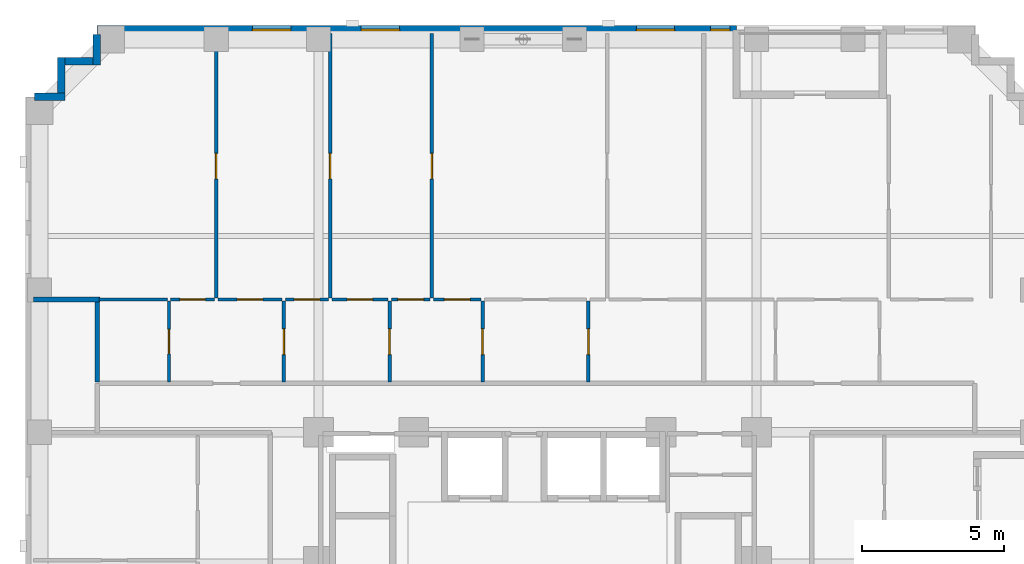
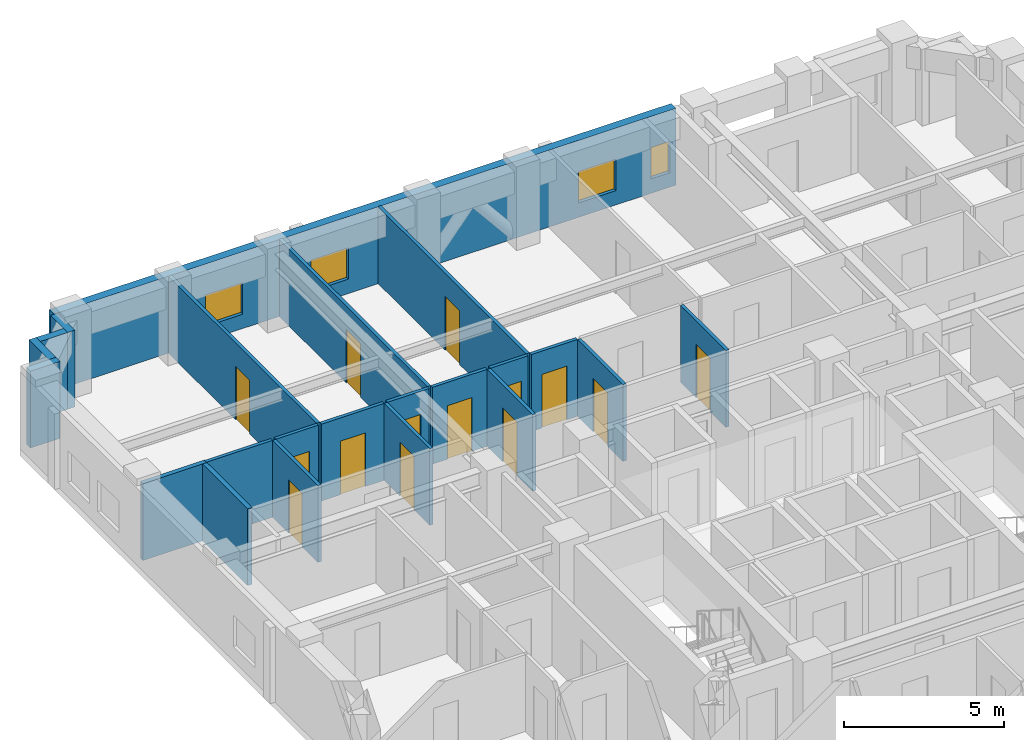
# One storey, part 7 of 12: 22 walls, 14 doors, 4 windows, 18 openings.
"""IFC4 building model written with IfcOpenShell, lengths in metres."""

from ifc_helpers import new_model, si_unit, derived_unit, direction, frame, frame_2d, origin, place, context, subcontext, project, spatial, rectangle, extrude, material, layer, layer_set, type_object, element, fill, save


model = new_model("IFC4")

# Units and contexts
model_context = context("Model", 3, precision=1e-05, world=origin(), true_north=direction((0.0, 1.0)))
body_context = subcontext(model_context, "Body", "Model", "MODEL_VIEW")
ifc_project = project(units=[si_unit("LENGTHUNIT", "METRE"), si_unit("AREAUNIT", "SQUARE_METRE"), si_unit("VOLUMEUNIT", "CUBIC_METRE"), si_unit("PLANEANGLEUNIT", "RADIAN"), si_unit("MASSUNIT", "GRAM", prefix="KILO"), derived_unit("THERMALTRANSMITTANCEUNIT", [(si_unit("MASSUNIT", "GRAM", prefix="KILO"), 1), (si_unit("TIMEUNIT", "SECOND"), -3), (si_unit("THERMODYNAMICTEMPERATUREUNIT", "KELVIN"), -1)])], contexts=[model_context])

# Site, building, storey
site_placement = place(None, origin())
site = spatial("IfcSite", under=ifc_project, at=site_placement, CompositionType="ELEMENT")
building_placement = place(site_placement, origin())
building = spatial("IfcBuilding", under=site, at=building_placement, Name="Korrvale Station Residences", CompositionType="ELEMENT")
storey_placement = place(building_placement, frame((0.0, 0.0, 81.5)))
storey = spatial("IfcBuildingStorey", under=building, at=storey_placement, Name="L22", CompositionType="ELEMENT", Elevation=81.5)

# Walls
ifc_material_1 = material(Name="Precast concrete C45/55", Category="concrete")
ifc_layer_1 = layer(ifc_material_1, 0.260009765625, Name="Precast concrete C45/55")
ifc_layer_set_1 = layer_set([ifc_layer_1], Name="Precast concrete C45/55")
wall_type_1 = type_object("IfcWallType", Name="WAL-EXT-LOG260", PredefinedType="SOLIDWALL", material=ifc_layer_set_1)
wall_1_placement = place(storey_placement, frame((7.802001953125, 40.800048828125, 0.0), z_axis=(0.0, 0.0, 1.0), x_axis=(1.0, 0.0, 0.0)))
element("IfcWall", 1, at=wall_1_placement, inside=storey, type_object=wall_type_1, Name="L22 Serrated Corner Precast Step NW-1", PredefinedType="SOLIDWALL", context=body_context, shape_type="SweptSolid", body=[
    extrude(rectangle(XDim=1.077880859375, YDim=0.260009765625, at=frame_2d((0.5390625, 0.0))), origin(), (0.0, 0.0, 1.0), 2.93994140625),
])
wall_2_placement = place(storey_placement, frame((8.75, 40.931884765625, 0.0), z_axis=(0.0, 0.0, 1.0), x_axis=(0.0, 1.0, 0.0)))
element("IfcWall", 2, at=wall_2_placement, inside=storey, type_object=wall_type_1, Name="L22 Serrated Corner Precast Step NW-2", PredefinedType="SOLIDWALL", context=body_context, shape_type="SweptSolid", body=[
    extrude(rectangle(XDim=1.248046875, YDim=0.260009765625, at=frame_2d((0.6240234375, 0.0))), origin(), (0.0, 0.0, 1.0), 2.93994140625),
])
wall_3_placement = place(storey_placement, frame((8.882080078125, 42.050048828125, 0.0), z_axis=(0.0, 0.0, 1.0), x_axis=(1.0, 0.0, 0.0)))
element("IfcWall", 3, at=wall_3_placement, inside=storey, type_object=wall_type_1, Name="L22 Serrated Corner Precast Step NW-3", PredefinedType="SOLIDWALL", context=body_context, shape_type="SweptSolid", body=[
    extrude(rectangle(XDim=0.98583984375, YDim=0.260009765625, at=frame_2d((0.492919921875, 0.0))), origin(), (0.0, 0.0, 1.0), 2.93994140625),
])
wall_4_placement = place(storey_placement, frame((10.0, 41.919921875, 0.0), z_axis=(0.0, 0.0, 1.0), x_axis=(0.0, 1.0, 0.0)))
element("IfcWall", 4, at=wall_4_placement, inside=storey, type_object=wall_type_1, Name="L22 Serrated Corner Precast Step NW-4", PredefinedType="SOLIDWALL", context=body_context, shape_type="SweptSolid", body=[
    extrude(rectangle(XDim=1.078125, YDim=0.260009765625, at=frame_2d((0.5390625, 0.0))), origin(), (0.0, 0.0, 1.0), 2.93994140625),
])

# Wall, openings, windows
ifc_layer_2 = layer(ifc_material_1, 0.300048828125, Name="Precast concrete C45/55")
ifc_layer_set_2 = layer_set([ifc_layer_2], Name="Precast concrete C45/55")
wall_type_2 = type_object("IfcWallType", Name="WAL-EXT-PC300", PredefinedType="SOLIDWALL", material=ifc_layer_set_2)
wall_5_placement = place(storey_placement, frame((10.0, 43.14990234375, 0.0), z_axis=(0.0, 0.0, 1.0), x_axis=(1.0, 0.0, 0.0)))
wall_5 = element("IfcWall", 5, at=wall_5_placement, inside=storey, type_object=wall_type_2, Name="L22 North Exterior Precast Wall 1", PredefinedType="SOLIDWALL", context=body_context, shape_type="SweptSolid", body=[
    extrude(rectangle(XDim=22.5, YDim=0.300048828125, at=frame_2d((11.25, 0.0))), origin(), (0.0, 0.0, 1.0), 2.93994140625),
])
opening_1_placement = place(wall_5_placement, frame((5.47509765625, 0.0, 0.550048828125)))
opening_1 = element("IfcOpeningElement", 6, at=opening_1_placement, cuts=wall_5, Name="Opening W-10", PredefinedType="OPENING", context=body_context, shape_type="SweptSolid", body=[
    extrude(rectangle(XDim=1.35009765625, YDim=1.199951171875, at=frame_2d((0.675048828125, 0.60009765625))), frame((0.0, 0.16015625, 0.0), z_axis=(0.0, -1.0, 0.0), x_axis=(1.0, 0.0, 0.0)), (0.0, 0.0, 1.0), 0.320068359375),
])
opening_2_placement = place(wall_5_placement, frame((9.300048828125, 0.0, 0.550048828125)))
opening_2 = element("IfcOpeningElement", 7, at=opening_2_placement, cuts=wall_5, Name="Opening W-10", PredefinedType="OPENING", context=body_context, shape_type="SweptSolid", body=[
    extrude(rectangle(XDim=1.35009765625, YDim=1.199951171875, at=frame_2d((0.675048828125, 0.60009765625))), frame((0.0, 0.16015625, 0.0), z_axis=(0.0, -1.0, 0.0), x_axis=(1.0, 0.0, 0.0)), (0.0, 0.0, 1.0), 0.320068359375),
])
opening_3_placement = place(wall_5_placement, frame((18.97509765625, 0.0, 0.550048828125)))
opening_3 = element("IfcOpeningElement", 8, at=opening_3_placement, cuts=wall_5, Name="Opening W-10", PredefinedType="OPENING", context=body_context, shape_type="SweptSolid", body=[
    extrude(rectangle(XDim=1.35009765625, YDim=1.199951171875, at=frame_2d((0.675048828125, 0.60009765625))), frame((0.0, 0.16015625, 0.0), z_axis=(0.0, -1.0, 0.0), x_axis=(1.0, 0.0, 0.0)), (0.0, 0.0, 1.0), 0.320068359375),
])
opening_4_placement = place(wall_5_placement, frame((21.590087890625, 0.0, 0.550048828125)))
opening_4 = element("IfcOpeningElement", 9, at=opening_4_placement, cuts=wall_5, Name="Opening W-12", PredefinedType="OPENING", context=body_context, shape_type="SweptSolid", body=[
    extrude(rectangle(XDim=0.679931640625, YDim=1.199951171875, at=frame_2d((0.33984375, 0.60009765625))), frame((0.0, 0.16015625, 0.0), z_axis=(0.0, -1.0, 0.0), x_axis=(1.0, 0.0, 0.0)), (0.0, 0.0, 1.0), 0.320068359375),
])
ifc_material_2 = material(Name="Thermally broken aluminium frame with triple low-e glazing", Category="aluminium")
window_type_1 = type_object("IfcWindowType", Name="WIN-W10", PartitioningType="SINGLE_PANEL", PredefinedType="WINDOW", material=ifc_material_2)
window_1_placement = place(opening_1_placement, origin())
window_1 = element("IfcWindow", 10, at=window_1_placement, inside=storey, type_object=window_type_1, Name="L22 Punched Window 14", OverallHeight=1.199951171875, OverallWidth=1.35009765625, PartitioningType="SINGLE_PANEL", PredefinedType="WINDOW", context=body_context, shape_type="SweptSolid", body=[
    extrude(rectangle(XDim=1.35009765625, YDim=1.199951171875, at=frame_2d((0.675048828125, 0.60009765625))), frame((0.0, 0.030029296875, 0.0), z_axis=(0.0, -1.0, 0.0), x_axis=(1.0, 0.0, 0.0)), (0.0, 0.0, 1.0), 0.06005859375),
])
fill(opening_1, window_1)
window_2_placement = place(opening_2_placement, origin())
window_2 = element("IfcWindow", 11, at=window_2_placement, inside=storey, type_object=window_type_1, Name="L22 Punched Window 15", OverallHeight=1.199951171875, OverallWidth=1.35009765625, PartitioningType="SINGLE_PANEL", PredefinedType="WINDOW", context=body_context, shape_type="SweptSolid", body=[
    extrude(rectangle(XDim=1.35009765625, YDim=1.199951171875, at=frame_2d((0.675048828125, 0.60009765625))), frame((0.0, 0.030029296875, 0.0), z_axis=(0.0, -1.0, 0.0), x_axis=(1.0, 0.0, 0.0)), (0.0, 0.0, 1.0), 0.06005859375),
])
fill(opening_2, window_2)
window_3_placement = place(opening_3_placement, origin())
window_3 = element("IfcWindow", 12, at=window_3_placement, inside=storey, type_object=window_type_1, Name="L22 Punched Window 16", OverallHeight=1.199951171875, OverallWidth=1.35009765625, PartitioningType="SINGLE_PANEL", PredefinedType="WINDOW", context=body_context, shape_type="SweptSolid", body=[
    extrude(rectangle(XDim=1.35009765625, YDim=1.199951171875, at=frame_2d((0.675048828125, 0.60009765625))), frame((0.0, 0.030029296875, 0.0), z_axis=(0.0, -1.0, 0.0), x_axis=(1.0, 0.0, 0.0)), (0.0, 0.0, 1.0), 0.06005859375),
])
fill(opening_3, window_3)
window_type_2 = type_object("IfcWindowType", Name="WIN-W12", PartitioningType="SINGLE_PANEL", PredefinedType="WINDOW", material=ifc_material_2)
window_4_placement = place(opening_4_placement, origin())
window_4 = element("IfcWindow", 13, at=window_4_placement, inside=storey, type_object=window_type_2, Name="L22 Punched Window 17", OverallHeight=1.199951171875, OverallWidth=0.679931640625, PartitioningType="SINGLE_PANEL", PredefinedType="WINDOW", context=body_context, shape_type="SweptSolid", body=[
    extrude(rectangle(XDim=0.679931640625, YDim=1.199951171875, at=frame_2d((0.33984375, 0.60009765625))), frame((0.0, 0.030029296875, 0.0), z_axis=(0.0, -1.0, 0.0), x_axis=(1.0, 0.0, 0.0)), (0.0, 0.0, 1.0), 0.06005859375),
])
fill(opening_4, window_4)

# Wall, opening, door
ifc_material_3 = material(Name="Acoustic steel-stud gypsum board partition", Category="steel")
ifc_layer_3 = layer(ifc_material_3, 0.1201171875, Name="Acoustic steel-stud gypsum board partition")
ifc_layer_set_3 = layer_set([ifc_layer_3], Name="Acoustic steel-stud gypsum board partition")
wall_type_3 = type_object("IfcWallType", Name="WAL-PART-125", PredefinedType="PARTITIONING", material=ifc_layer_set_3)
wall_6_placement = place(storey_placement, frame((12.5400390625, 30.760009765625, 0.0), z_axis=(0.0, 0.0, 1.0), x_axis=(0.0, 1.0, 0.0)))
wall_6 = element("IfcWall", 14, at=wall_6_placement, inside=storey, type_object=wall_type_3, Name="L22 Suite Partition U03-V01", PredefinedType="PARTITIONING", context=body_context, shape_type="SweptSolid", body=[
    extrude(rectangle(XDim=2.85009765625, YDim=0.1201171875, at=frame_2d((1.425048828125, 0.0))), origin(), (0.0, 0.0, 1.0), 2.93994140625),
])
opening_5_placement = place(wall_6_placement, frame((0.9951171875, 0.0, 0.0)))
opening_5 = element("IfcOpeningElement", 15, at=opening_5_placement, cuts=wall_6, Name="Opening DB-860", PredefinedType="OPENING", context=body_context, shape_type="SweptSolid", body=[
    extrude(rectangle(XDim=0.860107421875, YDim=2.050048828125, at=frame_2d((0.43017578125, 1.02490234375))), frame((0.0, 0.070068359375, 0.0), z_axis=(0.0, -1.0, 0.0), x_axis=(1.0, 0.0, 0.0)), (0.0, 0.0, 1.0), 0.14013671875),
])
ifc_material_4 = material(Name="Moisture-resistant solid-core bathroom door", Category="timber")
door_type_1 = type_object("IfcDoorType", Name="DR-BATH-860", OperationType="NOTDEFINED", PredefinedType="DOOR", material=ifc_material_4)
door_1_placement = place(opening_5_placement, origin())
door_1 = element("IfcDoor", 16, at=door_1_placement, inside=storey, type_object=door_type_1, Name="L22 Apartment 1BR L22-U03 Bathroom Door", OperationType="SINGLE_SWING_RIGHT", OverallHeight=2.050048828125, OverallWidth=0.860107421875, PredefinedType="DOOR", context=body_context, shape_type="SweptSolid", body=[
    extrude(rectangle(XDim=0.860107421875, YDim=2.050048828125, at=frame_2d((0.43017578125, 1.02490234375))), frame((0.0, 0.02490234375, 0.0), z_axis=(0.0, -1.0, 0.0), x_axis=(1.0, 0.0, 0.0)), (0.0, 0.0, 1.0), 0.050048828125),
])
fill(opening_5, door_1)

# Wall
wall_7_placement = place(storey_placement, frame((10.080078125, 33.669921875, 0.0), z_axis=(0.0, 0.0, 1.0), x_axis=(1.0, 0.0, 0.0)))
element("IfcWall", 17, at=wall_7_placement, inside=storey, type_object=wall_type_3, Name="L22 Suite Partition U03-H06", PredefinedType="PARTITIONING", context=body_context, shape_type="SweptSolid", body=[
    extrude(rectangle(XDim=2.39990234375, YDim=0.1201171875, at=frame_2d((1.199951171875, 0.0))), origin(), (0.0, 0.0, 1.0), 2.93994140625),
])

# Wall, opening, door
wall_8_placement = place(storey_placement, frame((16.580078125, 30.760009765625, 0.0), z_axis=(0.0, 0.0, 1.0), x_axis=(0.0, 1.0, 0.0)))
wall_8 = element("IfcWall", 18, at=wall_8_placement, inside=storey, type_object=wall_type_3, Name="L22 Suite Partition U03-V12", PredefinedType="PARTITIONING", context=body_context, shape_type="SweptSolid", body=[
    extrude(rectangle(XDim=2.85009765625, YDim=0.1201171875, at=frame_2d((1.425048828125, 0.0))), origin(), (0.0, 0.0, 1.0), 2.93994140625),
])
opening_6_placement = place(wall_8_placement, frame((0.97509765625, 0.0, 0.0)))
opening_6 = element("IfcOpeningElement", 19, at=opening_6_placement, cuts=wall_8, Name="Opening DI-900", PredefinedType="OPENING", context=body_context, shape_type="SweptSolid", body=[
    extrude(rectangle(XDim=0.89990234375, YDim=2.050048828125, at=frame_2d((0.449951171875, 1.02490234375))), frame((0.0, 0.070068359375, 0.0), z_axis=(0.0, -1.0, 0.0), x_axis=(1.0, 0.0, 0.0)), (0.0, 0.0, 1.0), 0.14013671875),
])
ifc_material_5 = material(Name="Painted solid-core timber interior room door", Category="wood")
door_type_2 = type_object("IfcDoorType", Name="DR-INT-900", OperationType="NOTDEFINED", PredefinedType="DOOR", material=ifc_material_5)
door_2_placement = place(opening_6_placement, origin())
door_2 = element("IfcDoor", 20, at=door_2_placement, inside=storey, type_object=door_type_2, Name="L22 Apartment 1BR L22-U03 Kitchen Door", OperationType="SINGLE_SWING_LEFT", OverallHeight=2.050048828125, OverallWidth=0.89990234375, PredefinedType="DOOR", context=body_context, shape_type="SweptSolid", body=[
    extrude(rectangle(XDim=0.89990234375, YDim=2.050048828125, at=frame_2d((0.449951171875, 1.02490234375))), frame((0.0, 0.02490234375, 0.0), z_axis=(0.0, -1.0, 0.0), x_axis=(1.0, 0.0, 0.0)), (0.0, 0.0, 1.0), 0.050048828125),
])
fill(opening_6, door_2)

wall_9_placement = place(storey_placement, frame((12.60009765625, 33.669921875, 0.0), z_axis=(0.0, 0.0, 1.0), x_axis=(1.0, 0.0, 0.0)))
wall_9 = element("IfcWall", 21, at=wall_9_placement, inside=storey, type_object=wall_type_3, Name="L22 Suite Partition U03-H16", PredefinedType="PARTITIONING", context=body_context, shape_type="SweptSolid", body=[
    extrude(rectangle(XDim=1.539794921875, YDim=0.1201171875, at=frame_2d((0.77001953125, 0.0))), origin(), (0.0, 0.0, 1.0), 2.93994140625),
])
opening_7_placement = place(wall_9_placement, frame((0.320068359375, 0.0, 0.0)))
opening_7 = element("IfcOpeningElement", 22, at=opening_7_placement, cuts=wall_9, Name="Opening DI-900", PredefinedType="OPENING", context=body_context, shape_type="SweptSolid", body=[
    extrude(rectangle(XDim=0.89990234375, YDim=2.050048828125, at=frame_2d((0.449951171875, 1.02490234375))), frame((0.0, 0.070068359375, 0.0), z_axis=(0.0, -1.0, 0.0), x_axis=(1.0, 0.0, 0.0)), (0.0, 0.0, 1.0), 0.14013671875),
])
door_3_placement = place(opening_7_placement, origin())
door_3 = element("IfcDoor", 23, at=door_3_placement, inside=storey, type_object=door_type_2, Name="L22 Apartment 1BR L22-U03 Kitchen Door", OperationType="SINGLE_SWING_RIGHT", OverallHeight=2.050048828125, OverallWidth=0.89990234375, PredefinedType="DOOR", context=body_context, shape_type="SweptSolid", body=[
    extrude(rectangle(XDim=0.89990234375, YDim=2.050048828125, at=frame_2d((0.449951171875, 1.02490234375))), frame((0.0, 0.02490234375, 0.0), z_axis=(0.0, -1.0, 0.0), x_axis=(1.0, 0.0, 0.0)), (0.0, 0.0, 1.0), 0.050048828125),
])
fill(opening_7, door_3)

wall_10_placement = place(storey_placement, frame((14.260009765625, 33.669921875, 0.0), z_axis=(0.0, 0.0, 1.0), x_axis=(1.0, 0.0, 0.0)))
wall_10 = element("IfcWall", 24, at=wall_10_placement, inside=storey, type_object=wall_type_3, Name="L22 Suite Partition U03-H17", PredefinedType="PARTITIONING", context=body_context, shape_type="SweptSolid", body=[
    extrude(rectangle(XDim=2.260009765625, YDim=0.1201171875, at=frame_2d((1.1298828125, 0.0))), origin(), (0.0, 0.0, 1.0), 2.93994140625),
])
opening_8_placement = place(wall_10_placement, frame((0.679931640625, 0.0, 0.0)))
opening_8 = element("IfcOpeningElement", 25, at=opening_8_placement, cuts=wall_10, Name="Opening DI-900", PredefinedType="OPENING", context=body_context, shape_type="SweptSolid", body=[
    extrude(rectangle(XDim=0.89990234375, YDim=2.050048828125, at=frame_2d((0.449951171875, 1.02490234375))), frame((0.0, 0.070068359375, 0.0), z_axis=(0.0, -1.0, 0.0), x_axis=(1.0, 0.0, 0.0)), (0.0, 0.0, 1.0), 0.14013671875),
])
door_4_placement = place(opening_8_placement, origin())
door_4 = element("IfcDoor", 26, at=door_4_placement, inside=storey, type_object=door_type_2, Name="L22 Apartment 1BR L22-U03 Kitchen Door", OperationType="SINGLE_SWING_LEFT", OverallHeight=2.050048828125, OverallWidth=0.89990234375, PredefinedType="DOOR", context=body_context, shape_type="SweptSolid", body=[
    extrude(rectangle(XDim=0.89990234375, YDim=2.050048828125, at=frame_2d((0.449951171875, 1.02490234375))), frame((0.0, 0.02490234375, 0.0), z_axis=(0.0, -1.0, 0.0), x_axis=(1.0, 0.0, 0.0)), (0.0, 0.0, 1.0), 0.050048828125),
])
fill(opening_8, door_4)

wall_11_placement = place(storey_placement, frame((20.300048828125, 30.760009765625, 0.0), z_axis=(0.0, 0.0, 1.0), x_axis=(0.0, 1.0, 0.0)))
wall_11 = element("IfcWall", 27, at=wall_11_placement, inside=storey, type_object=wall_type_3, Name="L22 Suite Partition U03-V23", PredefinedType="PARTITIONING", context=body_context, shape_type="SweptSolid", body=[
    extrude(rectangle(XDim=2.85009765625, YDim=0.1201171875, at=frame_2d((1.425048828125, 0.0))), origin(), (0.0, 0.0, 1.0), 2.93994140625),
])
opening_9_placement = place(wall_11_placement, frame((0.97509765625, 0.0, 0.0)))
opening_9 = element("IfcOpeningElement", 28, at=opening_9_placement, cuts=wall_11, Name="Opening DI-900", PredefinedType="OPENING", context=body_context, shape_type="SweptSolid", body=[
    extrude(rectangle(XDim=0.89990234375, YDim=2.050048828125, at=frame_2d((0.449951171875, 1.02490234375))), frame((0.0, 0.070068359375, 0.0), z_axis=(0.0, -1.0, 0.0), x_axis=(1.0, 0.0, 0.0)), (0.0, 0.0, 1.0), 0.14013671875),
])
door_5_placement = place(opening_9_placement, origin())
door_5 = element("IfcDoor", 29, at=door_5_placement, inside=storey, type_object=door_type_2, Name="L22 Apartment 1BR L22-U03 Utility and Laundry Room Door", OperationType="SINGLE_SWING_RIGHT", OverallHeight=2.050048828125, OverallWidth=0.89990234375, PredefinedType="DOOR", context=body_context, shape_type="SweptSolid", body=[
    extrude(rectangle(XDim=0.89990234375, YDim=2.050048828125, at=frame_2d((0.449951171875, 1.02490234375))), frame((0.0, 0.02490234375, 0.0), z_axis=(0.0, -1.0, 0.0), x_axis=(1.0, 0.0, 0.0)), (0.0, 0.0, 1.0), 0.050048828125),
])
fill(opening_9, door_5)

wall_12_placement = place(storey_placement, frame((16.639892578125, 33.669921875, 0.0), z_axis=(0.0, 0.0, 1.0), x_axis=(1.0, 0.0, 0.0)))
wall_12 = element("IfcWall", 30, at=wall_12_placement, inside=storey, type_object=wall_type_3, Name="L22 Suite Partition U03-H27", PredefinedType="PARTITIONING", context=body_context, shape_type="SweptSolid", body=[
    extrude(rectangle(XDim=1.508056640625, YDim=0.1201171875, at=frame_2d((0.75390625, 0.0))), origin(), (0.0, 0.0, 1.0), 2.93994140625),
])
opening_10_placement = place(wall_12_placement, frame((0.303955078125, 0.0, 0.0)))
opening_10 = element("IfcOpeningElement", 31, at=opening_10_placement, cuts=wall_12, Name="Opening DI-900", PredefinedType="OPENING", context=body_context, shape_type="SweptSolid", body=[
    extrude(rectangle(XDim=0.89990234375, YDim=2.050048828125, at=frame_2d((0.449951171875, 1.02490234375))), frame((0.0, 0.070068359375, 0.0), z_axis=(0.0, -1.0, 0.0), x_axis=(1.0, 0.0, 0.0)), (0.0, 0.0, 1.0), 0.14013671875),
])
door_6_placement = place(opening_10_placement, origin())
door_6 = element("IfcDoor", 32, at=door_6_placement, inside=storey, type_object=door_type_2, Name="L22 Apartment 1BR L22-U03 Utility and Laundry Room Door", OperationType="SINGLE_SWING_LEFT", OverallHeight=2.050048828125, OverallWidth=0.89990234375, PredefinedType="DOOR", context=body_context, shape_type="SweptSolid", body=[
    extrude(rectangle(XDim=0.89990234375, YDim=2.050048828125, at=frame_2d((0.449951171875, 1.02490234375))), frame((0.0, 0.02490234375, 0.0), z_axis=(0.0, -1.0, 0.0), x_axis=(1.0, 0.0, 0.0)), (0.0, 0.0, 1.0), 0.050048828125),
])
fill(opening_10, door_6)

wall_13_placement = place(storey_placement, frame((18.26806640625, 33.669921875, 0.0), z_axis=(0.0, 0.0, 1.0), x_axis=(1.0, 0.0, 0.0)))
wall_13 = element("IfcWall", 33, at=wall_13_placement, inside=storey, type_object=wall_type_3, Name="L22 Suite Partition U03-H28", PredefinedType="PARTITIONING", context=body_context, shape_type="SweptSolid", body=[
    extrude(rectangle(XDim=1.971923828125, YDim=0.1201171875, at=frame_2d((0.98583984375, 0.0))), origin(), (0.0, 0.0, 1.0), 2.93994140625),
])
opening_11_placement = place(wall_13_placement, frame((0.535888671875, 0.0, 0.0)))
opening_11 = element("IfcOpeningElement", 34, at=opening_11_placement, cuts=wall_13, Name="Opening DI-900", PredefinedType="OPENING", context=body_context, shape_type="SweptSolid", body=[
    extrude(rectangle(XDim=0.89990234375, YDim=2.050048828125, at=frame_2d((0.449951171875, 1.02490234375))), frame((0.0, 0.070068359375, 0.0), z_axis=(0.0, -1.0, 0.0), x_axis=(1.0, 0.0, 0.0)), (0.0, 0.0, 1.0), 0.14013671875),
])
door_7_placement = place(opening_11_placement, origin())
door_7 = element("IfcDoor", 35, at=door_7_placement, inside=storey, type_object=door_type_2, Name="L22 Apartment 1BR L22-U03 Utility and Laundry Room Door", OperationType="SINGLE_SWING_RIGHT", OverallHeight=2.050048828125, OverallWidth=0.89990234375, PredefinedType="DOOR", context=body_context, shape_type="SweptSolid", body=[
    extrude(rectangle(XDim=0.89990234375, YDim=2.050048828125, at=frame_2d((0.449951171875, 1.02490234375))), frame((0.0, 0.02490234375, 0.0), z_axis=(0.0, -1.0, 0.0), x_axis=(1.0, 0.0, 0.0)), (0.0, 0.0, 1.0), 0.050048828125),
])
fill(opening_11, door_7)

wall_14_placement = place(storey_placement, frame((23.570068359375, 30.760009765625, 0.0), z_axis=(0.0, 0.0, 1.0), x_axis=(0.0, 1.0, 0.0)))
wall_14 = element("IfcWall", 36, at=wall_14_placement, inside=storey, type_object=wall_type_3, Name="L22 Suite Partition U03-V34", PredefinedType="PARTITIONING", context=body_context, shape_type="SweptSolid", body=[
    extrude(rectangle(XDim=2.85009765625, YDim=0.1201171875, at=frame_2d((1.425048828125, 0.0))), origin(), (0.0, 0.0, 1.0), 2.93994140625),
])
opening_12_placement = place(wall_14_placement, frame((0.97509765625, 0.0, 0.0)))
opening_12 = element("IfcOpeningElement", 37, at=opening_12_placement, cuts=wall_14, Name="Opening DI-900", PredefinedType="OPENING", context=body_context, shape_type="SweptSolid", body=[
    extrude(rectangle(XDim=0.89990234375, YDim=2.050048828125, at=frame_2d((0.449951171875, 1.02490234375))), frame((0.0, 0.070068359375, 0.0), z_axis=(0.0, -1.0, 0.0), x_axis=(1.0, 0.0, 0.0)), (0.0, 0.0, 1.0), 0.14013671875),
])
door_8_placement = place(opening_12_placement, origin())
door_8 = element("IfcDoor", 38, at=door_8_placement, inside=storey, type_object=door_type_2, Name="L22 Apartment 1BR L22-U03 Storage Closet 2 Door", OperationType="SINGLE_SWING_LEFT", OverallHeight=2.050048828125, OverallWidth=0.89990234375, PredefinedType="DOOR", context=body_context, shape_type="SweptSolid", body=[
    extrude(rectangle(XDim=0.89990234375, YDim=2.050048828125, at=frame_2d((0.449951171875, 1.02490234375))), frame((0.0, 0.02490234375, 0.0), z_axis=(0.0, -1.0, 0.0), x_axis=(1.0, 0.0, 0.0)), (0.0, 0.0, 1.0), 0.050048828125),
])
fill(opening_12, door_8)

wall_15_placement = place(storey_placement, frame((20.360107421875, 33.669921875, 0.0), z_axis=(0.0, 0.0, 1.0), x_axis=(1.0, 0.0, 0.0)))
wall_15 = element("IfcWall", 39, at=wall_15_placement, inside=storey, type_object=wall_type_3, Name="L22 Suite Partition U03-H38", PredefinedType="PARTITIONING", context=body_context, shape_type="SweptSolid", body=[
    extrude(rectangle(XDim=1.364013671875, YDim=0.1201171875, at=frame_2d((0.68212890625, 0.0))), origin(), (0.0, 0.0, 1.0), 2.93994140625),
])
opening_13_placement = place(wall_15_placement, frame((0.23193359375, 0.0, 0.0)))
opening_13 = element("IfcOpeningElement", 40, at=opening_13_placement, cuts=wall_15, Name="Opening DI-900", PredefinedType="OPENING", context=body_context, shape_type="SweptSolid", body=[
    extrude(rectangle(XDim=0.89990234375, YDim=2.050048828125, at=frame_2d((0.449951171875, 1.02490234375))), frame((0.0, 0.070068359375, 0.0), z_axis=(0.0, -1.0, 0.0), x_axis=(1.0, 0.0, 0.0)), (0.0, 0.0, 1.0), 0.14013671875),
])
door_9_placement = place(opening_13_placement, origin())
door_9 = element("IfcDoor", 41, at=door_9_placement, inside=storey, type_object=door_type_2, Name="L22 Apartment 1BR L22-U03 Storage Closet 2 Door", OperationType="SINGLE_SWING_RIGHT", OverallHeight=2.050048828125, OverallWidth=0.89990234375, PredefinedType="DOOR", context=body_context, shape_type="SweptSolid", body=[
    extrude(rectangle(XDim=0.89990234375, YDim=2.050048828125, at=frame_2d((0.449951171875, 1.02490234375))), frame((0.0, 0.02490234375, 0.0), z_axis=(0.0, -1.0, 0.0), x_axis=(1.0, 0.0, 0.0)), (0.0, 0.0, 1.0), 0.050048828125),
])
fill(opening_13, door_9)

wall_16_placement = place(storey_placement, frame((21.843994140625, 33.669921875, 0.0), z_axis=(0.0, 0.0, 1.0), x_axis=(1.0, 0.0, 0.0)))
wall_16 = element("IfcWall", 42, at=wall_16_placement, inside=storey, type_object=wall_type_3, Name="L22 Suite Partition U03-H39", PredefinedType="PARTITIONING", context=body_context, shape_type="SweptSolid", body=[
    extrude(rectangle(XDim=1.666015625, YDim=0.1201171875, at=frame_2d((0.8330078125, 0.0))), origin(), (0.0, 0.0, 1.0), 2.93994140625),
])
opening_14_placement = place(wall_16_placement, frame((0.383056640625, 0.0, 0.0)))
opening_14 = element("IfcOpeningElement", 43, at=opening_14_placement, cuts=wall_16, Name="Opening DI-900", PredefinedType="OPENING", context=body_context, shape_type="SweptSolid", body=[
    extrude(rectangle(XDim=0.89990234375, YDim=2.050048828125, at=frame_2d((0.449951171875, 1.02490234375))), frame((0.0, 0.070068359375, 0.0), z_axis=(0.0, -1.0, 0.0), x_axis=(1.0, 0.0, 0.0)), (0.0, 0.0, 1.0), 0.14013671875),
])
door_10_placement = place(opening_14_placement, origin())
door_10 = element("IfcDoor", 44, at=door_10_placement, inside=storey, type_object=door_type_2, Name="L22 Apartment 1BR L22-U03 Storage Closet 2 Door", OperationType="SINGLE_SWING_LEFT", OverallHeight=2.050048828125, OverallWidth=0.89990234375, PredefinedType="DOOR", context=body_context, shape_type="SweptSolid", body=[
    extrude(rectangle(XDim=0.89990234375, YDim=2.050048828125, at=frame_2d((0.449951171875, 1.02490234375))), frame((0.0, 0.02490234375, 0.0), z_axis=(0.0, -1.0, 0.0), x_axis=(1.0, 0.0, 0.0)), (0.0, 0.0, 1.0), 0.050048828125),
])
fill(opening_14, door_10)

wall_17_placement = place(storey_placement, frame((27.2900390625, 30.760009765625, 0.0), z_axis=(0.0, 0.0, 1.0), x_axis=(0.0, 1.0, 0.0)))
wall_17 = element("IfcWall", 45, at=wall_17_placement, inside=storey, type_object=wall_type_3, Name="L22 Suite Partition U03-V45", PredefinedType="PARTITIONING", context=body_context, shape_type="SweptSolid", body=[
    extrude(rectangle(XDim=2.85009765625, YDim=0.1201171875, at=frame_2d((1.425048828125, 0.0))), origin(), (0.0, 0.0, 1.0), 2.93994140625),
])
opening_15_placement = place(wall_17_placement, frame((0.97509765625, 0.0, 0.0)))
opening_15 = element("IfcOpeningElement", 46, at=opening_15_placement, cuts=wall_17, Name="Opening DI-900", PredefinedType="OPENING", context=body_context, shape_type="SweptSolid", body=[
    extrude(rectangle(XDim=0.89990234375, YDim=2.050048828125, at=frame_2d((0.449951171875, 1.02490234375))), frame((0.0, 0.070068359375, 0.0), z_axis=(0.0, -1.0, 0.0), x_axis=(1.0, 0.0, 0.0)), (0.0, 0.0, 1.0), 0.14013671875),
])
door_11_placement = place(opening_15_placement, origin())
door_11 = element("IfcDoor", 47, at=door_11_placement, inside=storey, type_object=door_type_2, Name="L22 Apartment 1BR L22-U03 Storage Closet 3 Door", OperationType="SINGLE_SWING_RIGHT", OverallHeight=2.050048828125, OverallWidth=0.89990234375, PredefinedType="DOOR", context=body_context, shape_type="SweptSolid", body=[
    extrude(rectangle(XDim=0.89990234375, YDim=2.050048828125, at=frame_2d((0.449951171875, 1.02490234375))), frame((0.0, 0.02490234375, 0.0), z_axis=(0.0, -1.0, 0.0), x_axis=(1.0, 0.0, 0.0)), (0.0, 0.0, 1.0), 0.050048828125),
])
fill(opening_15, door_11)

wall_18_placement = place(storey_placement, frame((14.199951171875, 33.72998046875, 0.0), z_axis=(0.0, 0.0, 1.0), x_axis=(0.0, 1.0, 0.0)))
wall_18 = element("IfcWall", 48, at=wall_18_placement, inside=storey, type_object=wall_type_3, Name="L22 Suite Partition U03-V67", PredefinedType="PARTITIONING", context=body_context, shape_type="SweptSolid", body=[
    extrude(rectangle(XDim=9.2900390625, YDim=0.1201171875, at=frame_2d((4.64501953125, 0.0))), origin(), (0.0, 0.0, 1.0), 2.93994140625),
])
opening_16_placement = place(wall_18_placement, frame((4.179931640625, 0.0, 0.0)))
opening_16 = element("IfcOpeningElement", 49, at=opening_16_placement, cuts=wall_18, Name="Opening DI-900", PredefinedType="OPENING", context=body_context, shape_type="SweptSolid", body=[
    extrude(rectangle(XDim=0.89990234375, YDim=2.050048828125, at=frame_2d((0.449951171875, 1.02490234375))), frame((0.0, 0.070068359375, 0.0), z_axis=(0.0, -1.0, 0.0), x_axis=(1.0, 0.0, 0.0)), (0.0, 0.0, 1.0), 0.14013671875),
])
door_12_placement = place(opening_16_placement, origin())
door_12 = element("IfcDoor", 50, at=door_12_placement, inside=storey, type_object=door_type_2, Name="L22 Apartment 1BR L22-U03 Living and Dining Room Door", OperationType="SINGLE_SWING_LEFT", OverallHeight=2.050048828125, OverallWidth=0.89990234375, PredefinedType="DOOR", context=body_context, shape_type="SweptSolid", body=[
    extrude(rectangle(XDim=0.89990234375, YDim=2.050048828125, at=frame_2d((0.449951171875, 1.02490234375))), frame((0.0, 0.02490234375, 0.0), z_axis=(0.0, -1.0, 0.0), x_axis=(1.0, 0.0, 0.0)), (0.0, 0.0, 1.0), 0.050048828125),
])
fill(opening_16, door_12)

wall_19_placement = place(storey_placement, frame((18.2080078125, 33.72998046875, 0.0), z_axis=(0.0, 0.0, 1.0), x_axis=(0.0, 1.0, 0.0)))
wall_19 = element("IfcWall", 51, at=wall_19_placement, inside=storey, type_object=wall_type_3, Name="L22 Suite Partition U03-V78", PredefinedType="PARTITIONING", context=body_context, shape_type="SweptSolid", body=[
    extrude(rectangle(XDim=9.2900390625, YDim=0.1201171875, at=frame_2d((4.64501953125, 0.0))), origin(), (0.0, 0.0, 1.0), 2.93994140625),
])
opening_17_placement = place(wall_19_placement, frame((4.179931640625, 0.0, 0.0)))
opening_17 = element("IfcOpeningElement", 52, at=opening_17_placement, cuts=wall_19, Name="Opening DI-900", PredefinedType="OPENING", context=body_context, shape_type="SweptSolid", body=[
    extrude(rectangle(XDim=0.89990234375, YDim=2.050048828125, at=frame_2d((0.449951171875, 1.02490234375))), frame((0.0, 0.070068359375, 0.0), z_axis=(0.0, -1.0, 0.0), x_axis=(1.0, 0.0, 0.0)), (0.0, 0.0, 1.0), 0.14013671875),
])
door_13_placement = place(opening_17_placement, origin())
door_13 = element("IfcDoor", 53, at=door_13_placement, inside=storey, type_object=door_type_2, Name="L22 Apartment 1BR L22-U03 Formal Dining Room Door", OperationType="SINGLE_SWING_RIGHT", OverallHeight=2.050048828125, OverallWidth=0.89990234375, PredefinedType="DOOR", context=body_context, shape_type="SweptSolid", body=[
    extrude(rectangle(XDim=0.89990234375, YDim=2.050048828125, at=frame_2d((0.449951171875, 1.02490234375))), frame((0.0, 0.02490234375, 0.0), z_axis=(0.0, -1.0, 0.0), x_axis=(1.0, 0.0, 0.0)), (0.0, 0.0, 1.0), 0.050048828125),
])
fill(opening_17, door_13)

wall_20_placement = place(storey_placement, frame((21.783935546875, 33.72998046875, 0.0), z_axis=(0.0, 0.0, 1.0), x_axis=(0.0, 1.0, 0.0)))
wall_20 = element("IfcWall", 54, at=wall_20_placement, inside=storey, type_object=wall_type_3, Name="L22 Suite Partition U03-V89", PredefinedType="PARTITIONING", context=body_context, shape_type="SweptSolid", body=[
    extrude(rectangle(XDim=9.2900390625, YDim=0.1201171875, at=frame_2d((4.64501953125, 0.0))), origin(), (0.0, 0.0, 1.0), 2.93994140625),
])
opening_18_placement = place(wall_20_placement, frame((4.179931640625, 0.0, 0.0)))
opening_18 = element("IfcOpeningElement", 55, at=opening_18_placement, cuts=wall_20, Name="Opening DI-900", PredefinedType="OPENING", context=body_context, shape_type="SweptSolid", body=[
    extrude(rectangle(XDim=0.89990234375, YDim=2.050048828125, at=frame_2d((0.449951171875, 1.02490234375))), frame((0.0, 0.070068359375, 0.0), z_axis=(0.0, -1.0, 0.0), x_axis=(1.0, 0.0, 0.0)), (0.0, 0.0, 1.0), 0.14013671875),
])
door_14_placement = place(opening_18_placement, origin())
door_14 = element("IfcDoor", 56, at=door_14_placement, inside=storey, type_object=door_type_2, Name="L22 Apartment 1BR L22-U03 Home Study Room Door", OperationType="SINGLE_SWING_LEFT", OverallHeight=2.050048828125, OverallWidth=0.89990234375, PredefinedType="DOOR", context=body_context, shape_type="SweptSolid", body=[
    extrude(rectangle(XDim=0.89990234375, YDim=2.050048828125, at=frame_2d((0.449951171875, 1.02490234375))), frame((0.0, 0.02490234375, 0.0), z_axis=(0.0, -1.0, 0.0), x_axis=(1.0, 0.0, 0.0)), (0.0, 0.0, 1.0), 0.050048828125),
])
fill(opening_18, door_14)

# Walls
ifc_material_6 = material(Name="Fire-rated twin-stud gypsum and mineral wool shaftwall assembly", Category="gypsum")
ifc_layer_4 = layer(ifc_material_6, 0.159912109375, Name="Fire-rated twin-stud gypsum and mineral wool shaftwall assembly")
ifc_layer_set_4 = layer_set([ifc_layer_4], Name="Fire-rated twin-stud gypsum and mineral wool shaftwall assembly")
wall_type_4 = type_object("IfcWallType", Name="WAL-PART-200", PredefinedType="PARTITIONING", material=ifc_layer_set_4)
wall_21_placement = place(storey_placement, frame((7.780029296875, 33.669921875, 0.0), z_axis=(0.0, 0.0, 1.0), x_axis=(1.0, 0.0, 0.0)))
element("IfcWall", 57, at=wall_21_placement, inside=storey, type_object=wall_type_4, Name="L22 Corner Step Wall U03-L", PredefinedType="PARTITIONING", context=body_context, shape_type="SweptSolid", body=[
    extrude(rectangle(XDim=2.340087890625, YDim=0.159912109375, at=frame_2d((1.169921875, 0.0))), origin(), (0.0, 0.0, 1.0), 2.93994140625),
])
wall_22_placement = place(storey_placement, frame((10.02001953125, 30.760009765625, 0.0), z_axis=(0.0, 0.0, 1.0), x_axis=(0.0, 1.0, 0.0)))
element("IfcWall", 58, at=wall_22_placement, inside=storey, type_object=wall_type_4, Name="L22 Corner Step Cheek U03-L", PredefinedType="PARTITIONING", context=body_context, shape_type="SweptSolid", body=[
    extrude(rectangle(XDim=2.909912109375, YDim=0.159912109375, at=frame_2d((1.455078125, 0.0))), origin(), (0.0, 0.0, 1.0), 2.93994140625),
])

save(model, "model.ifc")
